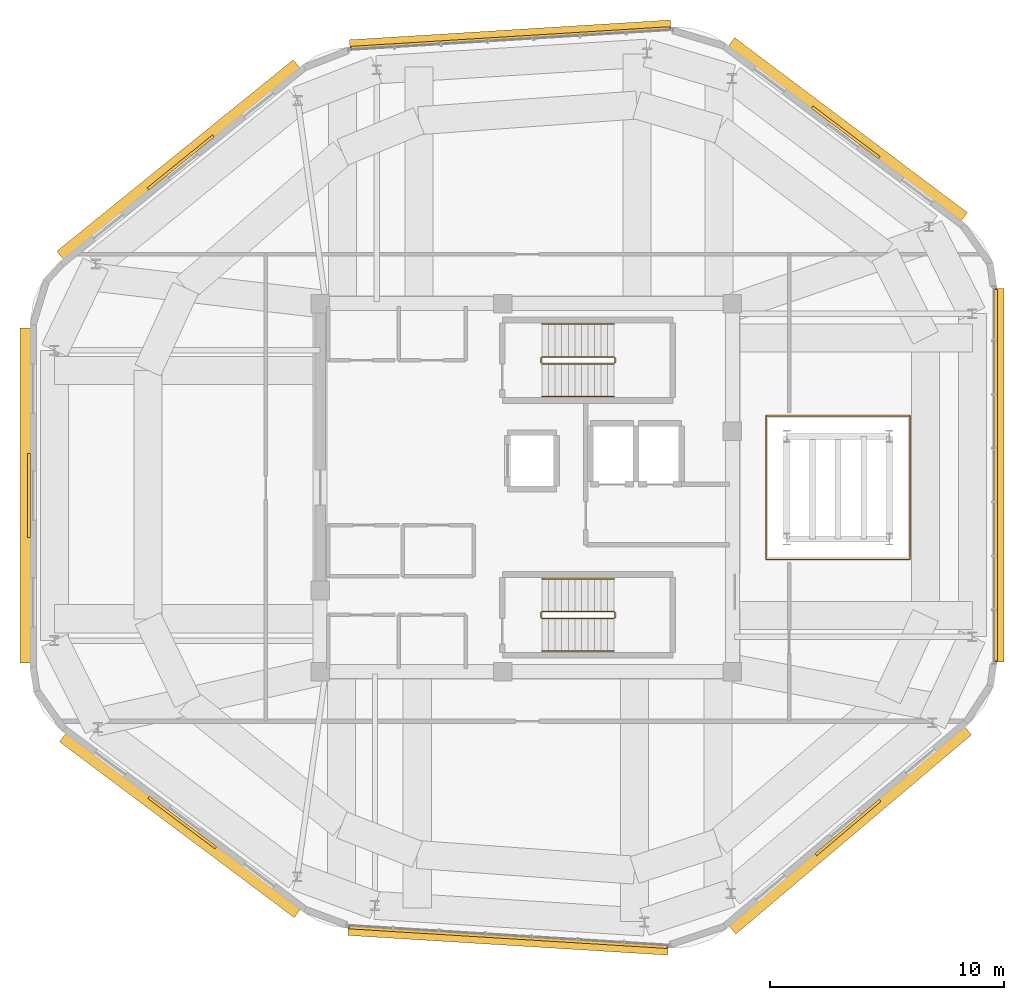
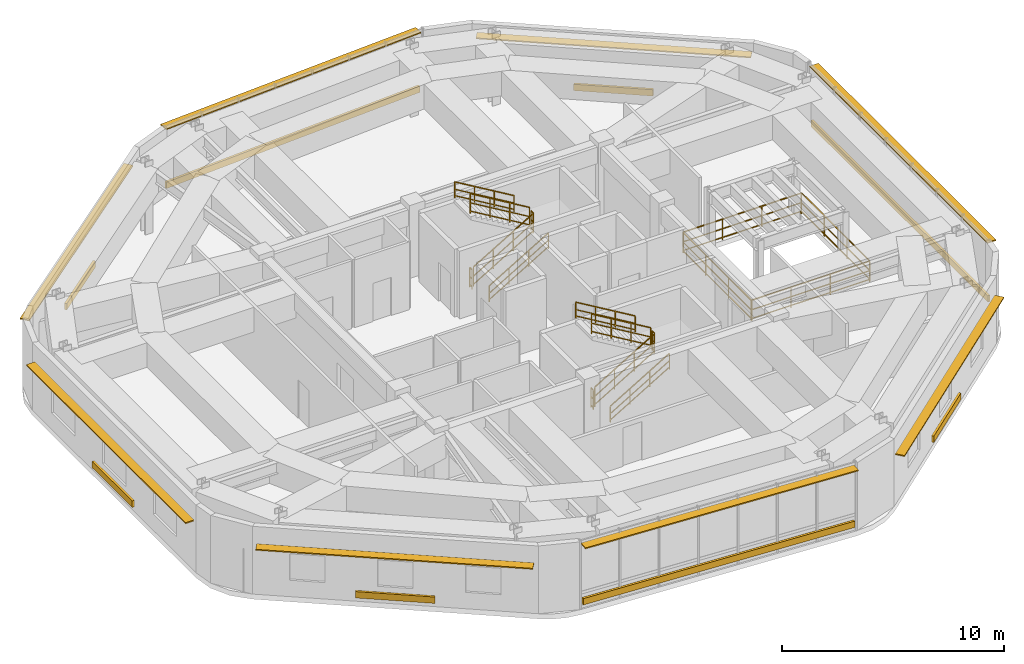
# One storey, part 17 of 17: 16 railings, 16 shading devices.
"""IFC4 building model written with IfcOpenShell, lengths in metres."""

import ifcopenshell
import ifcopenshell.guid

model = None  # the IFC model being written
_history = None  # IfcOwnerHistory: only IFC2X3 demands one
_inside = {}  # id of a spatial element -> (the spatial element, [elements in it])
_under = {}  # id of a project, library or spatial element -> (it, [spatial elements below it])
_declared = {}  # id of a project -> (the project, [libraries it declares])
_typed = {}  # id of a type object -> (the type object, [elements of that type])
_made_of = {}  # id of a material, layer set ... -> (it, [elements and type objects made of it])


def new_model(schema):
    """Start an empty IFC model of exactly this schema.

    Asked for "IFC4X3", IfcOpenShell would pick the latest addendum, in which some entities
    have other attributes; the version numbers below select the first issue.
    IFC2X3 requires an IfcOwnerHistory on every rooted entity: one is made here for all.
    """
    global model, _history
    if schema == "IFC4X3":
        model = ifcopenshell.file(schema_version=(4, 3, 0, 0))
    else:
        model = ifcopenshell.file(schema=schema)
    _inside.clear()
    _under.clear()
    _declared.clear()
    _typed.clear()
    _made_of.clear()
    _history = None
    if model.schema == "IFC2X3":
        org = make("IfcOrganization", Name="unknown")
        user = make(
            "IfcPersonAndOrganization",
            ThePerson=make("IfcPerson", FamilyName="unknown"),
            TheOrganization=org,
        )
        app = make(
            "IfcApplication",
            ApplicationDeveloper=org,
            Version="unknown",
            ApplicationFullName="unknown",
            ApplicationIdentifier="unknown",
        )
        _history = make(
            "IfcOwnerHistory",
            OwningUser=user,
            OwningApplication=app,
            ChangeAction="ADDED",
            CreationDate=0,
        )
    return model


def make(cls, **values):
    """One entity of the class cls with the attributes given. An attribute that is None is left unset."""
    return model.create_entity(
        cls, **{name: value for name, value in values.items() if value is not None}
    )


def rooted(cls, **values):
    """An entity with a GlobalId (a new one), such as an element, a storey or a relation."""
    return make(cls, GlobalId=ifcopenshell.guid.new(), OwnerHistory=_history, **values)


def si_unit(unit_type, name, prefix=None):
    """IfcSIUnit, for example si_unit("LENGTHUNIT", "METRE", prefix="MILLI")."""
    return make("IfcSIUnit", UnitType=unit_type, Prefix=prefix, Name=name)


def assignment(units):
    """IfcUnitAssignment: the units of a project."""
    return None if units is None else make("IfcUnitAssignment", Units=units)


def point(xyz):
    """IfcCartesianPoint."""
    return None if xyz is None else make("IfcCartesianPoint", Coordinates=xyz)


def direction(xyz):
    """IfcDirection."""
    return None if xyz is None else make("IfcDirection", DirectionRatios=xyz)


def frame(location, z_axis=None, x_axis=None):
    """IfcAxis2Placement3D, a coordinate frame: its origin and axes. An axis left out is left unset."""
    return make(
        "IfcAxis2Placement3D",
        Location=point(location),
        Axis=direction(z_axis),
        RefDirection=direction(x_axis),
    )


def frame_2d(location, x_axis=None):
    """IfcAxis2Placement2D, a coordinate frame in the plane: its origin and x axis."""
    return make(
        "IfcAxis2Placement2D", Location=point(location), RefDirection=direction(x_axis)
    )


def origin():
    """The frame at (0, 0, 0) with its axes left unset."""
    return frame((0.0, 0.0, 0.0))


def origin_2d():
    """The frame at (0, 0) in the plane with its x axis left unset."""
    return frame_2d((0.0, 0.0))


def place(relative_to, where):
    """IfcLocalPlacement: puts the frame where relative to a parent placement (None: the world)."""
    return make(
        "IfcLocalPlacement", PlacementRelTo=relative_to, RelativePlacement=where
    )


def context(
    kind, dimensions, precision=None, world=None, true_north=None, identifier=None
):
    """IfcGeometricRepresentationContext, for example the 3D "Model" context."""
    return make(
        "IfcGeometricRepresentationContext",
        ContextIdentifier=identifier,
        ContextType=kind,
        CoordinateSpaceDimension=dimensions,
        Precision=precision,
        WorldCoordinateSystem=world,
        TrueNorth=true_north,
    )


def subcontext(parent, identifier, kind, view, scale=None):
    """IfcGeometricRepresentationSubContext, for example "Body" below "Model"."""
    return make(
        "IfcGeometricRepresentationSubContext",
        ContextIdentifier=identifier,
        ContextType=kind,
        ParentContext=parent,
        TargetScale=scale,
        TargetView=view,
    )


def project(units=None, contexts=None):
    """IfcProject with its units and contexts."""
    return rooted(
        "IfcProject",
        Name="project",
        RepresentationContexts=contexts,
        UnitsInContext=assignment(units),
    )


def spatial(cls, under=None, at=None, **own):
    """A site, building, storey or space (cls), placed at a placement, below another one or the project."""
    s = rooted(cls, ObjectPlacement=at, **own)
    if under is not None:
        _under.setdefault(under.id(), (under, []))[1].append(s)
    return s


def profile(cls, at=None, kind="AREA", **sizes):
    """A parametric profile (cls). Its sizes go by their IFC names, for example OverallWidth=200.0."""
    return make(cls, ProfileType=kind, Position=at, **sizes)


def rectangle(**sizes):
    """IfcRectangleProfileDef."""
    return profile("IfcRectangleProfileDef", **sizes)


def extrude(swept, where, along, depth):
    """IfcExtrudedAreaSolid: the profile swept, set in the frame where, extruded along a direction by depth."""
    return make(
        "IfcExtrudedAreaSolid",
        SweptArea=swept,
        Position=where,
        ExtrudedDirection=direction(along),
        Depth=depth,
    )


def shape(context_of_items, identifier, shape_type, items):
    """IfcShapeRepresentation: the items that make up one representation, for example the "Body"."""
    return make(
        "IfcShapeRepresentation",
        ContextOfItems=context_of_items,
        RepresentationIdentifier=identifier,
        RepresentationType=shape_type,
        Items=items,
    )


def material(Name=None, Category=None):
    """IfcMaterial."""
    return make("IfcMaterial", Name=Name, Category=Category)


def layer(
    of_material, thickness, ventilated=None, Name=None, Category=None, Priority=None
):
    """IfcMaterialLayer: one layer of a wall or slab, of a material (None: an air gap)."""
    return make(
        "IfcMaterialLayer",
        Material=of_material,
        LayerThickness=thickness,
        IsVentilated=ventilated,
        Name=Name,
        Category=Category,
        Priority=Priority,
    )


def layer_set(layers, Name=None):
    """IfcMaterialLayerSet."""
    return make("IfcMaterialLayerSet", MaterialLayers=layers, LayerSetName=Name)


def made_of(thing, what):
    """Note that an element or type object is made of a material, layer set ...; save() writes the relation."""
    if what is not None:
        _made_of.setdefault(what.id(), (what, []))[1].append(thing)
    return thing


def type_object(cls, material=None, **own):
    """A type object (cls), such as IfcWallType, which elements share."""
    return made_of(rooted(cls, **own), material)


def element(
    cls,
    number,
    at=None,
    inside=None,
    cuts=None,
    type_object=None,
    material=None,
    context=None,
    identifier="Body",
    shape_type=None,
    held_by="IfcProductDefinitionShape",
    body=None,
    shapes=None,
    **own,
):
    """One element of the class cls, such as IfcWall. Its Tag is "e" and its number.

    at: its placement. inside: the storey or other place that contains it. cuts: it is an
    opening in that element (IfcRelVoidsElement). A single representation is given by context,
    identifier, shape_type and body (its items); several are given by shapes. held_by: the class
    of the entity that holds the representations. save() writes the other relations.
    """
    e = rooted(cls, Tag="e%d" % number, ObjectPlacement=at, **own)
    if body is not None:
        shapes = [shape(context, identifier, shape_type, body)]
    if shapes is not None:
        e.Representation = make(held_by, Representations=shapes)
    if inside is not None:
        _inside.setdefault(inside.id(), (inside, []))[1].append(e)
    if cuts is not None:
        rooted(
            "IfcRelVoidsElement", RelatingBuildingElement=cuts, RelatedOpeningElement=e
        )
    if type_object is not None:
        _typed.setdefault(type_object.id(), (type_object, []))[1].append(e)
    return made_of(e, material)


def aggregate(whole, parts):
    """IfcRelAggregates: a whole, such as a stair, and the parts it consists of."""
    return rooted("IfcRelAggregates", RelatingObject=whole, RelatedObjects=parts)


def save(model, path):
    """Write the relations noted so far, then the file.

    IfcRelAggregates (storeys below a building ...), IfcRelContainedInSpatialStructure (elements
    in a storey), IfcRelDefinesByType, IfcRelAssociatesMaterial and IfcRelDeclares: one each for
    every whole, place, type object, material and project.
    """
    for whole, parts in _under.values():
        aggregate(whole, parts)
    for where, things in _inside.values():
        rooted(
            "IfcRelContainedInSpatialStructure",
            RelatedElements=things,
            RelatingStructure=where,
        )
    for kind, things in _typed.values():
        rooted("IfcRelDefinesByType", RelatedObjects=things, RelatingType=kind)
    for what, things in _made_of.values():
        rooted("IfcRelAssociatesMaterial", RelatedObjects=things, RelatingMaterial=what)
    for by, libraries in _declared.values():
        rooted("IfcRelDeclares", RelatingContext=by, RelatedDefinitions=libraries)
    model.write(path)


model = new_model("IFC4")

# Units and contexts
model_context = context("Model", 3, precision=1e-05, world=origin(), true_north=direction((0.0, 1.0)))
body_context = subcontext(model_context, "Body", "Model", "MODEL_VIEW")
ifc_project = project(units=[si_unit("LENGTHUNIT", "METRE"), si_unit("AREAUNIT", "SQUARE_METRE"), si_unit("VOLUMEUNIT", "CUBIC_METRE"), si_unit("PLANEANGLEUNIT", "RADIAN"), si_unit("MASSUNIT", "GRAM", prefix="KILO")], contexts=[model_context])

# Site, building, storey
site_placement = place(None, origin())
site = spatial("IfcSite", under=ifc_project, at=site_placement, CompositionType="ELEMENT")
building_placement = place(site_placement, origin())
building = spatial("IfcBuilding", under=site, at=building_placement, Name="Zulverin Broadcast Headquarters", CompositionType="ELEMENT")
storey_placement = place(building_placement, frame((0.0, 0.0, 317.39990234375)))
storey = spatial("IfcBuildingStorey", under=building, at=storey_placement, Name="C2", CompositionType="ELEMENT", Elevation=317.39990234375)

# Railings
ifc_material_1 = material(Name="Brushed stainless steel & laminated glass balustrade", Category="steel")
railing_type_1 = type_object("IfcRailingType", Name="RL-GUARD-1150", PredefinedType="GUARDRAIL", material=ifc_material_1)
railing_1_placement = place(storey_placement, frame((49.735107421875, 22.1201171875, 0.0)))
element("IfcRailing", 1, at=railing_1_placement, inside=storey, type_object=railing_type_1, Name="C2 Damper Hall Double-Height Void Guardrail Segment 01", PredefinedType="GUARDRAIL", context=body_context, shape_type="SweptSolid", body=[
    extrude(rectangle(XDim=0.048095703125, YDim=0.048095703125, at=origin_2d()), frame((0.0, 0.0, 1.1259765625), z_axis=(1.0, 0.0, 0.0), x_axis=(0.0, 1.0, 0.0)), (0.0, 0.0, 1.0), 6.1298828125),
    extrude(rectangle(XDim=0.0419921875, YDim=0.0419921875, at=origin_2d()), frame((0.0, 0.0, 0.597900390625), z_axis=(1.0, 0.0, 0.0), x_axis=(0.0, 1.0, 0.0)), (0.0, 0.0, 1.0), 6.1298828125),
    extrude(rectangle(XDim=0.0419921875, YDim=0.0419921875, at=origin_2d()), frame((0.0, 0.0, 0.1201171875), z_axis=(1.0, 0.0, 0.0), x_axis=(0.0, 1.0, 0.0)), (0.0, 0.0, 1.0), 6.1298828125),
    extrude(rectangle(XDim=0.0419921875, YDim=0.0419921875, at=origin_2d()), origin(), (0.0, 0.0, 1.0), 1.101806640625),
    extrude(rectangle(XDim=0.0419921875, YDim=0.0419921875, at=origin_2d()), frame((2.043212890625, 0.0, 0.0)), (0.0, 0.0, 1.0), 1.101806640625),
    extrude(rectangle(XDim=0.0419921875, YDim=0.0419921875, at=origin_2d()), frame((4.086669921875, 0.0, 0.0)), (0.0, 0.0, 1.0), 1.101806640625),
    extrude(rectangle(XDim=0.0419921875, YDim=0.0419921875, at=origin_2d()), frame((6.1298828125, 0.0, 0.0)), (0.0, 0.0, 1.0), 1.101806640625),
])
railing_2_placement = place(storey_placement, frame((55.8798828125, 22.135009765625, 0.0)))
element("IfcRailing", 2, at=railing_2_placement, inside=storey, type_object=railing_type_1, Name="C2 Damper Hall Double-Height Void Guardrail Segment 02", PredefinedType="GUARDRAIL", context=body_context, shape_type="SweptSolid", body=[
    extrude(rectangle(XDim=0.048095703125, YDim=0.048095703125, at=origin_2d()), frame((0.0, 0.0, 1.1259765625), z_axis=(0.0, 1.0, 0.0), x_axis=(-1.0, 0.0, 0.0)), (0.0, 0.0, 1.0), 6.1298828125),
    extrude(rectangle(XDim=0.0419921875, YDim=0.0419921875, at=origin_2d()), frame((0.0, 0.0, 0.597900390625), z_axis=(0.0, 1.0, 0.0), x_axis=(-1.0, 0.0, 0.0)), (0.0, 0.0, 1.0), 6.1298828125),
    extrude(rectangle(XDim=0.0419921875, YDim=0.0419921875, at=origin_2d()), frame((0.0, 0.0, 0.1201171875), z_axis=(0.0, 1.0, 0.0), x_axis=(-1.0, 0.0, 0.0)), (0.0, 0.0, 1.0), 6.1298828125),
    extrude(rectangle(XDim=0.0419921875, YDim=0.0419921875, at=origin_2d()), origin(), (0.0, 0.0, 1.0), 1.101806640625),
    extrude(rectangle(XDim=0.0419921875, YDim=0.0419921875, at=origin_2d()), frame((0.0, 2.043212890625, 0.0)), (0.0, 0.0, 1.0), 1.101806640625),
    extrude(rectangle(XDim=0.0419921875, YDim=0.0419921875, at=origin_2d()), frame((0.0, 4.086669921875, 0.0)), (0.0, 0.0, 1.0), 1.101806640625),
    extrude(rectangle(XDim=0.0419921875, YDim=0.0419921875, at=origin_2d()), frame((0.0, 6.1298828125, 0.0)), (0.0, 0.0, 1.0), 1.101806640625),
])
railing_3_placement = place(storey_placement, frame((55.864990234375, 28.280029296875, 0.0)))
element("IfcRailing", 3, at=railing_3_placement, inside=storey, type_object=railing_type_1, Name="C2 Damper Hall Double-Height Void Guardrail Segment 03", PredefinedType="GUARDRAIL", context=body_context, shape_type="SweptSolid", body=[
    extrude(rectangle(XDim=0.048095703125, YDim=0.048095703125, at=origin_2d()), frame((0.0, 0.0, 1.1259765625), z_axis=(-1.0, 0.0, 0.0), x_axis=(0.0, -1.0, 0.0)), (0.0, 0.0, 1.0), 6.1298828125),
    extrude(rectangle(XDim=0.0419921875, YDim=0.0419921875, at=origin_2d()), frame((0.0, 0.0, 0.597900390625), z_axis=(-1.0, 0.0, 0.0), x_axis=(0.0, -1.0, 0.0)), (0.0, 0.0, 1.0), 6.1298828125),
    extrude(rectangle(XDim=0.0419921875, YDim=0.0419921875, at=origin_2d()), frame((0.0, 0.0, 0.1201171875), z_axis=(-1.0, 0.0, 0.0), x_axis=(0.0, -1.0, 0.0)), (0.0, 0.0, 1.0), 6.1298828125),
    extrude(rectangle(XDim=0.0419921875, YDim=0.0419921875, at=origin_2d()), origin(), (0.0, 0.0, 1.0), 1.101806640625),
    extrude(rectangle(XDim=0.0419921875, YDim=0.0419921875, at=origin_2d()), frame((-2.043212890625, 0.0, 0.0)), (0.0, 0.0, 1.0), 1.101806640625),
    extrude(rectangle(XDim=0.0419921875, YDim=0.0419921875, at=origin_2d()), frame((-4.086669921875, 0.0, 0.0)), (0.0, 0.0, 1.0), 1.101806640625),
    extrude(rectangle(XDim=0.0419921875, YDim=0.0419921875, at=origin_2d()), frame((-6.1298828125, 0.0, 0.0)), (0.0, 0.0, 1.0), 1.101806640625),
])
railing_4_placement = place(storey_placement, frame((49.719970703125, 28.264892578125, 0.0)))
element("IfcRailing", 4, at=railing_4_placement, inside=storey, type_object=railing_type_1, Name="C2 Damper Hall Double-Height Void Guardrail Segment 04", PredefinedType="GUARDRAIL", context=body_context, shape_type="SweptSolid", body=[
    extrude(rectangle(XDim=0.048095703125, YDim=0.048095703125, at=origin_2d()), frame((0.0, 0.0, 1.1259765625), z_axis=(0.0, -1.0, 0.0), x_axis=(1.0, 0.0, 0.0)), (0.0, 0.0, 1.0), 6.1298828125),
    extrude(rectangle(XDim=0.0419921875, YDim=0.0419921875, at=origin_2d()), frame((0.0, 0.0, 0.597900390625), z_axis=(0.0, -1.0, 0.0), x_axis=(1.0, 0.0, 0.0)), (0.0, 0.0, 1.0), 6.1298828125),
    extrude(rectangle(XDim=0.0419921875, YDim=0.0419921875, at=origin_2d()), frame((0.0, 0.0, 0.1201171875), z_axis=(0.0, -1.0, 0.0), x_axis=(1.0, 0.0, 0.0)), (0.0, 0.0, 1.0), 6.1298828125),
    extrude(rectangle(XDim=0.0419921875, YDim=0.0419921875, at=origin_2d()), origin(), (0.0, 0.0, 1.0), 1.101806640625),
    extrude(rectangle(XDim=0.0419921875, YDim=0.0419921875, at=origin_2d()), frame((0.0, -2.043212890625, 0.0)), (0.0, 0.0, 1.0), 1.101806640625),
    extrude(rectangle(XDim=0.0419921875, YDim=0.0419921875, at=origin_2d()), frame((0.0, -4.086669921875, 0.0)), (0.0, 0.0, 1.0), 1.101806640625),
    extrude(rectangle(XDim=0.0419921875, YDim=0.0419921875, at=origin_2d()), frame((0.0, -6.1298828125, 0.0)), (0.0, 0.0, 1.0), 1.101806640625),
])
ifc_material_2 = material(Name="Painted galvanized steel tubular guardrail S355JR", Category="steel")
railing_type_2 = type_object("IfcRailingType", Name="RL-ST-GUARD", PredefinedType="GUARDRAIL", material=ifc_material_2)
railing_5_placement = place(storey_placement, frame((40.1298828125, 30.5, 0.166748046875)))
element("IfcRailing", 5, at=railing_5_placement, inside=storey, type_object=railing_type_2, Name="C2 ST-1 stair guard 1", PredefinedType="GUARDRAIL", context=body_context, shape_type="SweptSolid", body=[
    extrude(rectangle(XDim=0.048095703125, YDim=0.048095703125, at=origin_2d()), frame((0.0, 0.0, 1.076171875), z_axis=(0.859308565015, 0.0, 0.511457515432), x_axis=(0.0, 1.0, 0.0)), (0.0, 0.0, 1.0), 3.58447265625),
    extrude(rectangle(XDim=0.0419921875, YDim=0.0419921875, at=origin_2d()), frame((0.0, 0.0, 0.572021484375), z_axis=(0.859308565015, 0.0, 0.511457515432), x_axis=(0.0, 1.0, 0.0)), (0.0, 0.0, 1.0), 3.58447265625),
    extrude(rectangle(XDim=0.0419921875, YDim=0.0419921875, at=origin_2d()), frame((0.0, 0.0, 0.1201171875), z_axis=(0.859308565015, 0.0, 0.511457515432), x_axis=(0.0, 1.0, 0.0)), (0.0, 0.0, 1.0), 3.58447265625),
    extrude(rectangle(XDim=0.0419921875, YDim=0.0419921875, at=origin_2d()), origin(), (0.0, 0.0, 1.0), 1.052001953125),
    extrude(rectangle(XDim=0.0419921875, YDim=0.0419921875, at=origin_2d()), frame((1.026611328125, 0.0, 0.611083984375)), (0.0, 0.0, 1.0), 1.052001953125),
    extrude(rectangle(XDim=0.0419921875, YDim=0.0419921875, at=origin_2d()), frame((2.053466796875, 0.0, 1.22216796875)), (0.0, 0.0, 1.0), 1.052001953125),
    extrude(rectangle(XDim=0.0419921875, YDim=0.0419921875, at=origin_2d()), frame((3.080078125, 0.0, 1.833251953125)), (0.0, 0.0, 1.0), 1.052001953125),
])
railing_6_placement = place(storey_placement, frame((43.260009765625, 30.550048828125, 2.0)))
element("IfcRailing", 6, at=railing_6_placement, inside=storey, type_object=railing_type_2, Name="C2 ST-1 stair guard 2", PredefinedType="GUARDRAIL", context=body_context, shape_type="SweptSolid", body=[
    extrude(rectangle(XDim=0.048095703125, YDim=0.048095703125, at=origin_2d()), frame((0.0, 0.0, 1.076171875), z_axis=(0.0, 1.0, 0.0), x_axis=(-1.0, 0.0, 0.0)), (0.0, 0.0, 1.0), 0.199951171875),
    extrude(rectangle(XDim=0.0419921875, YDim=0.0419921875, at=origin_2d()), frame((0.0, 0.0, 0.572021484375), z_axis=(0.0, 1.0, 0.0), x_axis=(-1.0, 0.0, 0.0)), (0.0, 0.0, 1.0), 0.199951171875),
    extrude(rectangle(XDim=0.0419921875, YDim=0.0419921875, at=origin_2d()), frame((0.0, 0.0, 0.1201171875), z_axis=(0.0, 1.0, 0.0), x_axis=(-1.0, 0.0, 0.0)), (0.0, 0.0, 1.0), 0.199951171875),
    extrude(rectangle(XDim=0.0419921875, YDim=0.0419921875, at=origin_2d()), origin(), (0.0, 0.0, 1.0), 1.052001953125),
    extrude(rectangle(XDim=0.0419921875, YDim=0.0419921875, at=origin_2d()), frame((0.0, 0.199951171875, 0.0)), (0.0, 0.0, 1.0), 1.052001953125),
])
railing_7_placement = place(storey_placement, frame((43.2099609375, 30.800048828125, 2.166748046875)))
element("IfcRailing", 7, at=railing_7_placement, inside=storey, type_object=railing_type_2, Name="C2 ST-1 stair guard 3", PredefinedType="GUARDRAIL", context=body_context, shape_type="SweptSolid", body=[
    extrude(rectangle(XDim=0.048095703125, YDim=0.048095703125, at=origin_2d()), frame((0.0, 0.0, 1.076171875), z_axis=(-0.859308565015, 0.0, 0.511457515432), x_axis=(0.0, -1.0, 0.0)), (0.0, 0.0, 1.0), 3.58447265625),
    extrude(rectangle(XDim=0.0419921875, YDim=0.0419921875, at=origin_2d()), frame((0.0, 0.0, 0.572021484375), z_axis=(-0.859308565015, 0.0, 0.511457515432), x_axis=(0.0, -1.0, 0.0)), (0.0, 0.0, 1.0), 3.58447265625),
    extrude(rectangle(XDim=0.0419921875, YDim=0.0419921875, at=origin_2d()), frame((0.0, 0.0, 0.1201171875), z_axis=(-0.859308565015, 0.0, 0.511457515432), x_axis=(0.0, -1.0, 0.0)), (0.0, 0.0, 1.0), 3.58447265625),
    extrude(rectangle(XDim=0.0419921875, YDim=0.0419921875, at=origin_2d()), origin(), (0.0, 0.0, 1.0), 1.052001953125),
    extrude(rectangle(XDim=0.0419921875, YDim=0.0419921875, at=origin_2d()), frame((-1.026611328125, 0.0, 0.611083984375)), (0.0, 0.0, 1.0), 1.052001953125),
    extrude(rectangle(XDim=0.0419921875, YDim=0.0419921875, at=origin_2d()), frame((-2.053466796875, 0.0, 1.22216796875)), (0.0, 0.0, 1.0), 1.052001953125),
    extrude(rectangle(XDim=0.0419921875, YDim=0.0419921875, at=origin_2d()), frame((-3.080078125, 0.0, 1.833251953125)), (0.0, 0.0, 1.0), 1.052001953125),
])
railing_8_placement = place(storey_placement, frame((40.080078125, 30.550048828125, 0.0)))
element("IfcRailing", 8, at=railing_8_placement, inside=storey, type_object=railing_type_2, Name="C2 ST-1 stair guard 4", PredefinedType="GUARDRAIL", context=body_context, shape_type="SweptSolid", body=[
    extrude(rectangle(XDim=0.048095703125, YDim=0.048095703125, at=origin_2d()), frame((0.0, 0.0, 1.076171875), z_axis=(0.0, 1.0, 0.0), x_axis=(-1.0, 0.0, 0.0)), (0.0, 0.0, 1.0), 0.199951171875),
    extrude(rectangle(XDim=0.0419921875, YDim=0.0419921875, at=origin_2d()), frame((0.0, 0.0, 0.572021484375), z_axis=(0.0, 1.0, 0.0), x_axis=(-1.0, 0.0, 0.0)), (0.0, 0.0, 1.0), 0.199951171875),
    extrude(rectangle(XDim=0.0419921875, YDim=0.0419921875, at=origin_2d()), frame((0.0, 0.0, 0.1201171875), z_axis=(0.0, 1.0, 0.0), x_axis=(-1.0, 0.0, 0.0)), (0.0, 0.0, 1.0), 0.199951171875),
    extrude(rectangle(XDim=0.0419921875, YDim=0.0419921875, at=origin_2d()), origin(), (0.0, 0.0, 1.0), 1.052001953125),
    extrude(rectangle(XDim=0.0419921875, YDim=0.0419921875, at=origin_2d()), frame((0.0, 0.199951171875, 0.0)), (0.0, 0.0, 1.0), 1.052001953125),
])
railing_9_placement = place(storey_placement, frame((40.1298828125, 19.60009765625, 0.166748046875)))
element("IfcRailing", 9, at=railing_9_placement, inside=storey, type_object=railing_type_2, Name="C2 ST-2 stair guard 1", PredefinedType="GUARDRAIL", context=body_context, shape_type="SweptSolid", body=[
    extrude(rectangle(XDim=0.048095703125, YDim=0.048095703125, at=origin_2d()), frame((0.0, 0.0, 1.076171875), z_axis=(0.859308565015, 0.0, 0.511457515432), x_axis=(0.0, 1.0, 0.0)), (0.0, 0.0, 1.0), 3.58447265625),
    extrude(rectangle(XDim=0.0419921875, YDim=0.0419921875, at=origin_2d()), frame((0.0, 0.0, 0.572021484375), z_axis=(0.859308565015, 0.0, 0.511457515432), x_axis=(0.0, 1.0, 0.0)), (0.0, 0.0, 1.0), 3.58447265625),
    extrude(rectangle(XDim=0.0419921875, YDim=0.0419921875, at=origin_2d()), frame((0.0, 0.0, 0.1201171875), z_axis=(0.859308565015, 0.0, 0.511457515432), x_axis=(0.0, 1.0, 0.0)), (0.0, 0.0, 1.0), 3.58447265625),
    extrude(rectangle(XDim=0.0419921875, YDim=0.0419921875, at=origin_2d()), origin(), (0.0, 0.0, 1.0), 1.052001953125),
    extrude(rectangle(XDim=0.0419921875, YDim=0.0419921875, at=origin_2d()), frame((1.026611328125, 0.0, 0.611083984375)), (0.0, 0.0, 1.0), 1.052001953125),
    extrude(rectangle(XDim=0.0419921875, YDim=0.0419921875, at=origin_2d()), frame((2.053466796875, 0.0, 1.22216796875)), (0.0, 0.0, 1.0), 1.052001953125),
    extrude(rectangle(XDim=0.0419921875, YDim=0.0419921875, at=origin_2d()), frame((3.080078125, 0.0, 1.833251953125)), (0.0, 0.0, 1.0), 1.052001953125),
])
railing_10_placement = place(storey_placement, frame((43.260009765625, 19.64990234375, 2.0)))
element("IfcRailing", 10, at=railing_10_placement, inside=storey, type_object=railing_type_2, Name="C2 ST-2 stair guard 2", PredefinedType="GUARDRAIL", context=body_context, shape_type="SweptSolid", body=[
    extrude(rectangle(XDim=0.048095703125, YDim=0.048095703125, at=origin_2d()), frame((0.0, 0.0, 1.076171875), z_axis=(0.0, 1.0, 0.0), x_axis=(-1.0, 0.0, 0.0)), (0.0, 0.0, 1.0), 0.2001953125),
    extrude(rectangle(XDim=0.0419921875, YDim=0.0419921875, at=origin_2d()), frame((0.0, 0.0, 0.572021484375), z_axis=(0.0, 1.0, 0.0), x_axis=(-1.0, 0.0, 0.0)), (0.0, 0.0, 1.0), 0.2001953125),
    extrude(rectangle(XDim=0.0419921875, YDim=0.0419921875, at=origin_2d()), frame((0.0, 0.0, 0.1201171875), z_axis=(0.0, 1.0, 0.0), x_axis=(-1.0, 0.0, 0.0)), (0.0, 0.0, 1.0), 0.2001953125),
    extrude(rectangle(XDim=0.0419921875, YDim=0.0419921875, at=origin_2d()), origin(), (0.0, 0.0, 1.0), 1.052001953125),
    extrude(rectangle(XDim=0.0419921875, YDim=0.0419921875, at=origin_2d()), frame((0.0, 0.2001953125, 0.0)), (0.0, 0.0, 1.0), 1.052001953125),
])
railing_11_placement = place(storey_placement, frame((43.2099609375, 19.89990234375, 2.166748046875)))
element("IfcRailing", 11, at=railing_11_placement, inside=storey, type_object=railing_type_2, Name="C2 ST-2 stair guard 3", PredefinedType="GUARDRAIL", context=body_context, shape_type="SweptSolid", body=[
    extrude(rectangle(XDim=0.048095703125, YDim=0.048095703125, at=origin_2d()), frame((0.0, 0.0, 1.076171875), z_axis=(-0.859308565015, 0.0, 0.511457515432), x_axis=(0.0, -1.0, 0.0)), (0.0, 0.0, 1.0), 3.58447265625),
    extrude(rectangle(XDim=0.0419921875, YDim=0.0419921875, at=origin_2d()), frame((0.0, 0.0, 0.572021484375), z_axis=(-0.859308565015, 0.0, 0.511457515432), x_axis=(0.0, -1.0, 0.0)), (0.0, 0.0, 1.0), 3.58447265625),
    extrude(rectangle(XDim=0.0419921875, YDim=0.0419921875, at=origin_2d()), frame((0.0, 0.0, 0.1201171875), z_axis=(-0.859308565015, 0.0, 0.511457515432), x_axis=(0.0, -1.0, 0.0)), (0.0, 0.0, 1.0), 3.58447265625),
    extrude(rectangle(XDim=0.0419921875, YDim=0.0419921875, at=origin_2d()), origin(), (0.0, 0.0, 1.0), 1.052001953125),
    extrude(rectangle(XDim=0.0419921875, YDim=0.0419921875, at=origin_2d()), frame((-1.026611328125, 0.0, 0.611083984375)), (0.0, 0.0, 1.0), 1.052001953125),
    extrude(rectangle(XDim=0.0419921875, YDim=0.0419921875, at=origin_2d()), frame((-2.053466796875, 0.0, 1.22216796875)), (0.0, 0.0, 1.0), 1.052001953125),
    extrude(rectangle(XDim=0.0419921875, YDim=0.0419921875, at=origin_2d()), frame((-3.080078125, 0.0, 1.833251953125)), (0.0, 0.0, 1.0), 1.052001953125),
])
railing_12_placement = place(storey_placement, frame((40.080078125, 19.64990234375, 0.0)))
element("IfcRailing", 12, at=railing_12_placement, inside=storey, type_object=railing_type_2, Name="C2 ST-2 stair guard 4", PredefinedType="GUARDRAIL", context=body_context, shape_type="SweptSolid", body=[
    extrude(rectangle(XDim=0.048095703125, YDim=0.048095703125, at=origin_2d()), frame((0.0, 0.0, 1.076171875), z_axis=(0.0, 1.0, 0.0), x_axis=(-1.0, 0.0, 0.0)), (0.0, 0.0, 1.0), 0.2001953125),
    extrude(rectangle(XDim=0.0419921875, YDim=0.0419921875, at=origin_2d()), frame((0.0, 0.0, 0.572021484375), z_axis=(0.0, 1.0, 0.0), x_axis=(-1.0, 0.0, 0.0)), (0.0, 0.0, 1.0), 0.2001953125),
    extrude(rectangle(XDim=0.0419921875, YDim=0.0419921875, at=origin_2d()), frame((0.0, 0.0, 0.1201171875), z_axis=(0.0, 1.0, 0.0), x_axis=(-1.0, 0.0, 0.0)), (0.0, 0.0, 1.0), 0.2001953125),
    extrude(rectangle(XDim=0.0419921875, YDim=0.0419921875, at=origin_2d()), origin(), (0.0, 0.0, 1.0), 1.052001953125),
    extrude(rectangle(XDim=0.0419921875, YDim=0.0419921875, at=origin_2d()), frame((0.0, 0.2001953125, 0.0)), (0.0, 0.0, 1.0), 1.052001953125),
])
ifc_material_3 = material(Name="Brushed stainless steel 48 mm handrail", Category="steel")
railing_type_3 = type_object("IfcRailingType", Name="RL-ST-HAND", PredefinedType="HANDRAIL", material=ifc_material_3)
railing_13_placement = place(storey_placement, frame((40.1298828125, 29.10009765625, 0.166748046875)))
element("IfcRailing", 13, at=railing_13_placement, inside=storey, type_object=railing_type_3, Name="C2 ST-1 stair handrail 1", PredefinedType="HANDRAIL", context=body_context, shape_type="SweptSolid", body=[
    extrude(rectangle(XDim=0.048095703125, YDim=0.048095703125, at=origin_2d()), frame((0.0, 0.0, 0.8759765625), z_axis=(0.859308565015, 0.0, 0.511457515432), x_axis=(0.0, 1.0, 0.0)), (0.0, 0.0, 1.0), 3.58447265625),
    extrude(rectangle(XDim=0.0419921875, YDim=0.0419921875, at=origin_2d()), frame((0.0, 0.0, 0.468017578125), z_axis=(0.859308565015, 0.0, 0.511457515432), x_axis=(0.0, 1.0, 0.0)), (0.0, 0.0, 1.0), 3.58447265625),
    extrude(rectangle(XDim=0.0419921875, YDim=0.0419921875, at=origin_2d()), frame((0.0, 0.0, 0.1201171875), z_axis=(0.859308565015, 0.0, 0.511457515432), x_axis=(0.0, 1.0, 0.0)), (0.0, 0.0, 1.0), 3.58447265625),
    extrude(rectangle(XDim=0.0419921875, YDim=0.0419921875, at=origin_2d()), origin(), (0.0, 0.0, 1.0), 0.851806640625),
    extrude(rectangle(XDim=0.0419921875, YDim=0.0419921875, at=origin_2d()), frame((1.026611328125, 0.0, 0.611083984375)), (0.0, 0.0, 1.0), 0.851806640625),
    extrude(rectangle(XDim=0.0419921875, YDim=0.0419921875, at=origin_2d()), frame((2.053466796875, 0.0, 1.22216796875)), (0.0, 0.0, 1.0), 0.851806640625),
    extrude(rectangle(XDim=0.0419921875, YDim=0.0419921875, at=origin_2d()), frame((3.080078125, 0.0, 1.833251953125)), (0.0, 0.0, 1.0), 0.851806640625),
])
railing_14_placement = place(storey_placement, frame((43.2099609375, 32.199951171875, 2.166748046875)))
element("IfcRailing", 14, at=railing_14_placement, inside=storey, type_object=railing_type_3, Name="C2 ST-1 stair handrail 2", PredefinedType="HANDRAIL", context=body_context, shape_type="SweptSolid", body=[
    extrude(rectangle(XDim=0.048095703125, YDim=0.048095703125, at=origin_2d()), frame((0.0, 0.0, 0.8759765625), z_axis=(-0.859308565015, 0.0, 0.511457515432), x_axis=(0.0, -1.0, 0.0)), (0.0, 0.0, 1.0), 3.58447265625),
    extrude(rectangle(XDim=0.0419921875, YDim=0.0419921875, at=origin_2d()), frame((0.0, 0.0, 0.468017578125), z_axis=(-0.859308565015, 0.0, 0.511457515432), x_axis=(0.0, -1.0, 0.0)), (0.0, 0.0, 1.0), 3.58447265625),
    extrude(rectangle(XDim=0.0419921875, YDim=0.0419921875, at=origin_2d()), frame((0.0, 0.0, 0.1201171875), z_axis=(-0.859308565015, 0.0, 0.511457515432), x_axis=(0.0, -1.0, 0.0)), (0.0, 0.0, 1.0), 3.58447265625),
    extrude(rectangle(XDim=0.0419921875, YDim=0.0419921875, at=origin_2d()), origin(), (0.0, 0.0, 1.0), 0.851806640625),
    extrude(rectangle(XDim=0.0419921875, YDim=0.0419921875, at=origin_2d()), frame((-1.026611328125, 0.0, 0.611083984375)), (0.0, 0.0, 1.0), 0.851806640625),
    extrude(rectangle(XDim=0.0419921875, YDim=0.0419921875, at=origin_2d()), frame((-2.053466796875, 0.0, 1.22216796875)), (0.0, 0.0, 1.0), 0.851806640625),
    extrude(rectangle(XDim=0.0419921875, YDim=0.0419921875, at=origin_2d()), frame((-3.080078125, 0.0, 1.833251953125)), (0.0, 0.0, 1.0), 0.851806640625),
])
railing_15_placement = place(storey_placement, frame((40.1298828125, 18.199951171875, 0.166748046875)))
element("IfcRailing", 15, at=railing_15_placement, inside=storey, type_object=railing_type_3, Name="C2 ST-2 stair handrail 1", PredefinedType="HANDRAIL", context=body_context, shape_type="SweptSolid", body=[
    extrude(rectangle(XDim=0.048095703125, YDim=0.048095703125, at=origin_2d()), frame((0.0, 0.0, 0.8759765625), z_axis=(0.859308565015, 0.0, 0.511457515432), x_axis=(0.0, 1.0, 0.0)), (0.0, 0.0, 1.0), 3.58447265625),
    extrude(rectangle(XDim=0.0419921875, YDim=0.0419921875, at=origin_2d()), frame((0.0, 0.0, 0.468017578125), z_axis=(0.859308565015, 0.0, 0.511457515432), x_axis=(0.0, 1.0, 0.0)), (0.0, 0.0, 1.0), 3.58447265625),
    extrude(rectangle(XDim=0.0419921875, YDim=0.0419921875, at=origin_2d()), frame((0.0, 0.0, 0.1201171875), z_axis=(0.859308565015, 0.0, 0.511457515432), x_axis=(0.0, 1.0, 0.0)), (0.0, 0.0, 1.0), 3.58447265625),
    extrude(rectangle(XDim=0.0419921875, YDim=0.0419921875, at=origin_2d()), origin(), (0.0, 0.0, 1.0), 0.851806640625),
    extrude(rectangle(XDim=0.0419921875, YDim=0.0419921875, at=origin_2d()), frame((1.026611328125, 0.0, 0.611083984375)), (0.0, 0.0, 1.0), 0.851806640625),
    extrude(rectangle(XDim=0.0419921875, YDim=0.0419921875, at=origin_2d()), frame((2.053466796875, 0.0, 1.22216796875)), (0.0, 0.0, 1.0), 0.851806640625),
    extrude(rectangle(XDim=0.0419921875, YDim=0.0419921875, at=origin_2d()), frame((3.080078125, 0.0, 1.833251953125)), (0.0, 0.0, 1.0), 0.851806640625),
])
railing_16_placement = place(storey_placement, frame((43.2099609375, 21.300048828125, 2.166748046875)))
element("IfcRailing", 16, at=railing_16_placement, inside=storey, type_object=railing_type_3, Name="C2 ST-2 stair handrail 2", PredefinedType="HANDRAIL", context=body_context, shape_type="SweptSolid", body=[
    extrude(rectangle(XDim=0.048095703125, YDim=0.048095703125, at=origin_2d()), frame((0.0, 0.0, 0.8759765625), z_axis=(-0.859308565015, 0.0, 0.511457515432), x_axis=(0.0, -1.0, 0.0)), (0.0, 0.0, 1.0), 3.58447265625),
    extrude(rectangle(XDim=0.0419921875, YDim=0.0419921875, at=origin_2d()), frame((0.0, 0.0, 0.468017578125), z_axis=(-0.859308565015, 0.0, 0.511457515432), x_axis=(0.0, -1.0, 0.0)), (0.0, 0.0, 1.0), 3.58447265625),
    extrude(rectangle(XDim=0.0419921875, YDim=0.0419921875, at=origin_2d()), frame((0.0, 0.0, 0.1201171875), z_axis=(-0.859308565015, 0.0, 0.511457515432), x_axis=(0.0, -1.0, 0.0)), (0.0, 0.0, 1.0), 3.58447265625),
    extrude(rectangle(XDim=0.0419921875, YDim=0.0419921875, at=origin_2d()), origin(), (0.0, 0.0, 1.0), 0.851806640625),
    extrude(rectangle(XDim=0.0419921875, YDim=0.0419921875, at=origin_2d()), frame((-1.026611328125, 0.0, 0.611083984375)), (0.0, 0.0, 1.0), 0.851806640625),
    extrude(rectangle(XDim=0.0419921875, YDim=0.0419921875, at=origin_2d()), frame((-2.053466796875, 0.0, 1.22216796875)), (0.0, 0.0, 1.0), 0.851806640625),
    extrude(rectangle(XDim=0.0419921875, YDim=0.0419921875, at=origin_2d()), frame((-3.080078125, 0.0, 1.833251953125)), (0.0, 0.0, 1.0), 0.851806640625),
])

# Shading devices
ifc_material_4 = material(Name="Anodized pale-metal aluminium acoustic louvre", Category="aluminium")
shading_device_type_1 = type_object("IfcShadingDeviceType", Name="SHD-LOUVRE-350", PredefinedType="USERDEFINED", material=ifc_material_4)
shading_device_1_placement = place(storey_placement, frame((38.678955078125, 5.95068359375, 0.22509765625), z_axis=(0.0, 0.0, 1.0), x_axis=(0.998102696661, -0.061571153301, 0.0)))
element("IfcShadingDevice", 17, at=shading_device_1_placement, inside=storey, type_object=shading_device_type_1, Name="C2 Pale-Metal Acoustic Louvre Screen CW-C2-E1", ObjectType="LOUVRE", PredefinedType="USERDEFINED", context=body_context, shape_type="SweptSolid", body=[
    extrude(rectangle(XDim=13.640380859375, YDim=0.1201171875, at=origin_2d()), origin(), (0.0, 0.0, 1.0), 0.35009765625),
])
shading_device_2_placement = place(storey_placement, frame((53.22265625, 10.64697265625, 0.2451171875), z_axis=(0.0, 0.0, 1.0), x_axis=(0.763587579629, 0.64570427305, 0.0)))
element("IfcShadingDevice", 18, at=shading_device_2_placement, inside=storey, type_object=shading_device_type_1, Name="C2 Spandrel Intake Louvre 2", ObjectType="LOUVRE", PredefinedType="USERDEFINED", context=body_context, shape_type="SweptSolid", body=[
    extrude(rectangle(XDim=3.60009765625, YDim=0.1201171875, at=origin_2d()), origin(), (0.0, 0.0, 1.0), 0.35009765625),
])
shading_device_3_placement = place(storey_placement, frame((59.56005859375, 25.73388671875, 0.22509765625), z_axis=(0.0, 0.0, 1.0), x_axis=(0.0, 1.0, 0.0)))
element("IfcShadingDevice", 19, at=shading_device_3_placement, inside=storey, type_object=shading_device_type_1, Name="C2 Pale-Metal Acoustic Louvre Screen CW-C2-E3", ObjectType="LOUVRE", PredefinedType="USERDEFINED", context=body_context, shape_type="SweptSolid", body=[
    extrude(rectangle(XDim=15.90869140625, YDim=0.1201171875, at=origin_2d()), origin(), (0.0, 0.0, 1.0), 0.35009765625),
])
shading_device_4_placement = place(storey_placement, frame((53.124267578125, 40.41357421875, 0.2451171875), z_axis=(0.0, 0.0, 1.0), x_axis=(-0.799364926249, 0.600845832708, 0.0)))
element("IfcShadingDevice", 20, at=shading_device_4_placement, inside=storey, type_object=shading_device_type_1, Name="C2 Spandrel Intake Louvre 4", ObjectType="LOUVRE", PredefinedType="USERDEFINED", context=body_context, shape_type="SweptSolid", body=[
    extrude(rectangle(XDim=3.60009765625, YDim=0.1201171875, at=origin_2d()), origin(), (0.0, 0.0, 1.0), 0.35009765625),
])
shading_device_5_placement = place(storey_placement, frame((38.76953125, 44.455078125, 0.22509765625), z_axis=(0.0, 0.0, 1.0), x_axis=(-0.998102804121, -0.061569411283, 0.0)))
element("IfcShadingDevice", 21, at=shading_device_5_placement, inside=storey, type_object=shading_device_type_1, Name="C2 Pale-Metal Acoustic Louvre Screen CW-C2-E5", ObjectType="LOUVRE", PredefinedType="USERDEFINED", context=body_context, shape_type="SweptSolid", body=[
    extrude(rectangle(XDim=13.68310546875, YDim=0.1201171875, at=origin_2d()), origin(), (0.0, 0.0, 1.0), 0.35009765625),
])
for number, where, z_axis, x_axis, name in (
    (22, (24.655029296875, 39.12353515625, 0.2451171875), (0.0, 0.0, 1.0), (-0.777324964526, -0.629099276367, 0.0), "C2 Spandrel Intake Louvre 6"),
    (23, (18.159912109375, 24.86328125, 0.2451171875), (0.0, 0.0, 1.0), (0.0, -1.0, 0.0), "C2 Spandrel Intake Louvre 7"),
    (24, (24.721435546875, 10.863037109375, 0.2451171875), (0.0, 0.0, 1.0), (0.800248092733, -0.599669067134, 0.0), "C2 Spandrel Intake Louvre 8"),
):
    element("IfcShadingDevice", number, at=place(storey_placement, frame(where, z_axis=z_axis, x_axis=x_axis)), inside=storey, type_object=shading_device_type_1, Name=name, ObjectType="LOUVRE", PredefinedType="USERDEFINED", context=body_context, shape_type="SweptSolid", body=[
        extrude(rectangle(XDim=3.60009765625, YDim=0.1201171875, at=origin_2d()), origin(), (0.0, 0.0, 1.0), 0.35009765625),
    ])
ifc_material_5 = material(Name="Anodized pale-metal aluminium sunshade", Category="aluminium")
ifc_layer = layer(ifc_material_5, 0.06005859375, Name="Anodized pale-metal aluminium sunshade", Category="aluminium")
ifc_layer_set = layer_set([ifc_layer], Name="Anodized pale-metal aluminium sunshade")
shading_device_type_2 = type_object("IfcShadingDeviceType", Name="SS-01_PALE_METAL_ALUMINIUM_SUNSHADE", PredefinedType="USERDEFINED", material=ifc_layer_set)
shading_device_6_placement = place(storey_placement, frame((38.671630859375, 5.830810546875, 3.489990234375), z_axis=(0.0, 0.0, 1.0), x_axis=(0.998102696661, -0.061571153301, 0.0)))
element("IfcShadingDevice", 25, at=shading_device_6_placement, inside=storey, type_object=shading_device_type_2, Name="C2 Pale-Metal Horizontal Sunshade Band CW-C2-E1", ObjectType="SUNSHADE", PredefinedType="USERDEFINED", context=body_context, shape_type="SweptSolid", body=[
    extrude(rectangle(XDim=13.720458984375, YDim=0.449951171875, at=origin_2d()), origin(), (0.0, 0.0, 1.0), 0.06005859375),
])
shading_device_7_placement = place(storey_placement, frame((53.325927734375, 10.524658203125, 2.7099609375), z_axis=(0.0, 0.0, 1.0), x_axis=(0.763587579629, 0.64570427305, 0.0)))
element("IfcShadingDevice", 26, at=shading_device_7_placement, inside=storey, type_object=shading_device_type_2, Name="C2 Horizontal Pale-Metal Sunshade Band 2", ObjectType="SUNSHADE", PredefinedType="USERDEFINED", context=body_context, shape_type="SweptSolid", body=[
    extrude(rectangle(XDim=13.216064453125, YDim=0.449951171875, at=origin_2d()), origin(), (0.0, 0.0, 1.0), 0.06005859375),
])
shading_device_8_placement = place(storey_placement, frame((59.679931640625, 25.73388671875, 3.489990234375), z_axis=(0.0, 0.0, 1.0), x_axis=(0.0, 1.0, 0.0)))
element("IfcShadingDevice", 27, at=shading_device_8_placement, inside=storey, type_object=shading_device_type_2, Name="C2 Pale-Metal Horizontal Sunshade Band CW-C2-E3", ObjectType="SUNSHADE", PredefinedType="USERDEFINED", context=body_context, shape_type="SweptSolid", body=[
    extrude(rectangle(XDim=15.98876953125, YDim=0.449951171875, at=origin_2d()), origin(), (0.0, 0.0, 1.0), 0.06005859375),
])
shading_device_9_placement = place(storey_placement, frame((53.220458984375, 40.54150390625, 2.7099609375), z_axis=(0.0, 0.0, 1.0), x_axis=(-0.799364926249, 0.600845832708, 0.0)))
element("IfcShadingDevice", 28, at=shading_device_9_placement, inside=storey, type_object=shading_device_type_2, Name="C2 Horizontal Pale-Metal Sunshade Band 4", ObjectType="SUNSHADE", PredefinedType="USERDEFINED", context=body_context, shape_type="SweptSolid", body=[
    extrude(rectangle(XDim=12.466796875, YDim=0.449951171875, at=origin_2d()), origin(), (0.0, 0.0, 1.0), 0.06005859375),
])
shading_device_10_placement = place(storey_placement, frame((38.76220703125, 44.57470703125, 3.489990234375), z_axis=(0.0, 0.0, 1.0), x_axis=(-0.998102804121, -0.061569411283, 0.0)))
element("IfcShadingDevice", 29, at=shading_device_10_placement, inside=storey, type_object=shading_device_type_2, Name="C2 Pale-Metal Horizontal Sunshade Band CW-C2-E5", ObjectType="SUNSHADE", PredefinedType="USERDEFINED", context=body_context, shape_type="SweptSolid", body=[
    extrude(rectangle(XDim=13.762939453125, YDim=0.449951171875, at=origin_2d()), origin(), (0.0, 0.0, 1.0), 0.06005859375),
])
shading_device_11_placement = place(storey_placement, frame((24.55419921875, 39.247802734375, 2.7099609375), z_axis=(0.0, 0.0, 1.0), x_axis=(-0.777324964526, -0.629099276367, 0.0)))
element("IfcShadingDevice", 30, at=shading_device_11_placement, inside=storey, type_object=shading_device_type_2, Name="C2 Horizontal Pale-Metal Sunshade Band 6", ObjectType="SUNSHADE", PredefinedType="USERDEFINED", context=body_context, shape_type="SweptSolid", body=[
    extrude(rectangle(XDim=13.0283203125, YDim=0.449951171875, at=origin_2d()), origin(), (0.0, 0.0, 1.0), 0.06005859375),
])
shading_device_12_placement = place(storey_placement, frame((18.0, 24.86328125, 2.7099609375), z_axis=(0.0, 0.0, 1.0), x_axis=(0.0, -1.0, 0.0)))
element("IfcShadingDevice", 31, at=shading_device_12_placement, inside=storey, type_object=shading_device_type_2, Name="C2 Horizontal Pale-Metal Sunshade Band 7", ObjectType="SUNSHADE", PredefinedType="USERDEFINED", context=body_context, shape_type="SweptSolid", body=[
    extrude(rectangle(XDim=14.32470703125, YDim=0.449951171875, at=origin_2d()), origin(), (0.0, 0.0, 1.0), 0.06005859375),
])
shading_device_13_placement = place(storey_placement, frame((24.62548828125, 10.735107421875, 2.7099609375), z_axis=(0.0, 0.0, 1.0), x_axis=(0.800248092733, -0.599669067134, 0.0)))
element("IfcShadingDevice", 32, at=shading_device_13_placement, inside=storey, type_object=shading_device_type_2, Name="C2 Horizontal Pale-Metal Sunshade Band 8", ObjectType="SUNSHADE", PredefinedType="USERDEFINED", context=body_context, shape_type="SweptSolid", body=[
    extrude(rectangle(XDim=12.556884765625, YDim=0.449951171875, at=origin_2d()), origin(), (0.0, 0.0, 1.0), 0.06005859375),
])

save(model, "model.ifc")
